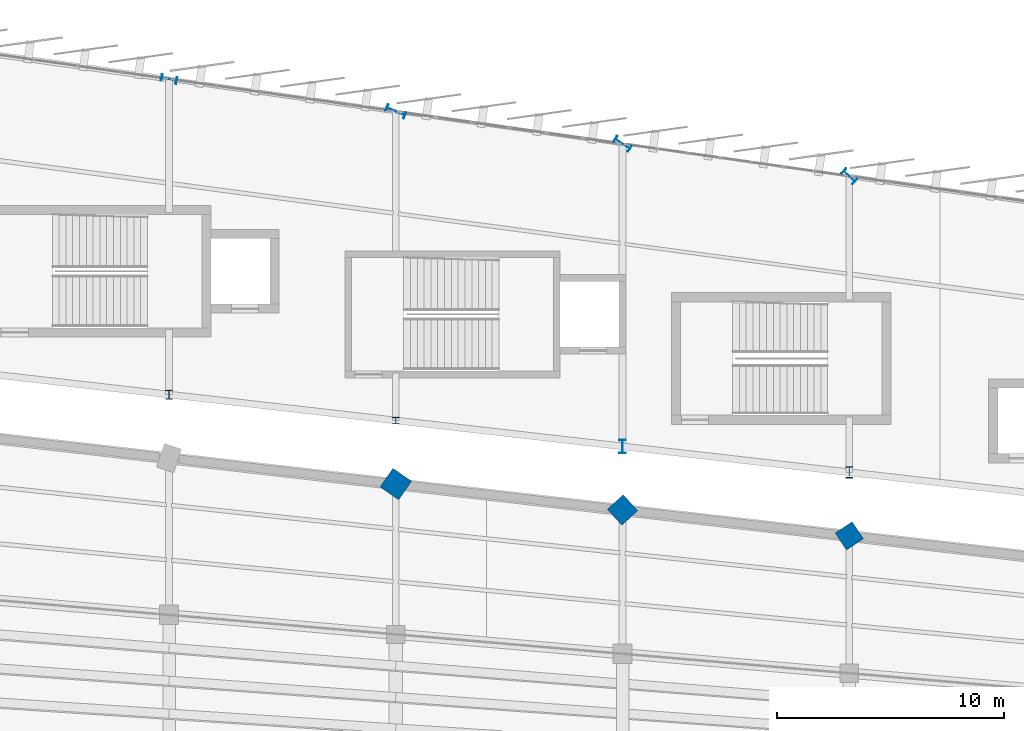
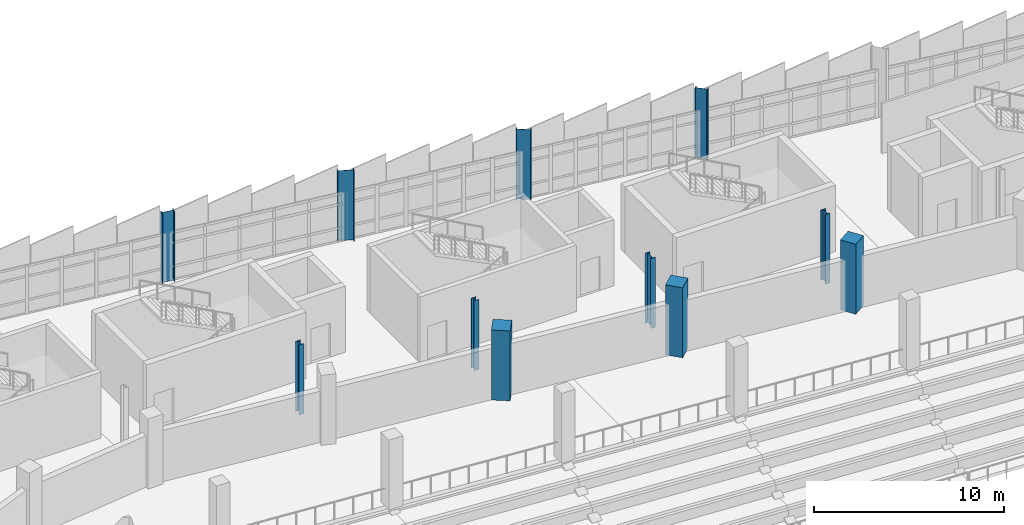
# One storey, part 16 of 134: 11 columns.
"""IFC4 building model written with IfcOpenShell, lengths in metres."""

from ifc_helpers import new_model, si_unit, direction, frame, origin, origin_2d, place, context, subcontext, project, spatial, rectangle, i_section, extrude, material, material_profile, profile_set, type_object, element, save


model = new_model("IFC4")

# Units and contexts
model_context = context("Model", 3, precision=1e-05, world=origin(), true_north=direction((0.0, 1.0)))
body_context = subcontext(model_context, "Body", "Model", "MODEL_VIEW")
ifc_project = project(units=[si_unit("LENGTHUNIT", "METRE"), si_unit("AREAUNIT", "SQUARE_METRE"), si_unit("VOLUMEUNIT", "CUBIC_METRE"), si_unit("PLANEANGLEUNIT", "RADIAN"), si_unit("MASSUNIT", "GRAM", prefix="KILO")], contexts=[model_context])

# Site, building, storey
site_placement = place(None, origin())
site = spatial("IfcSite", under=ifc_project, at=site_placement, CompositionType="ELEMENT")
building_placement = place(site_placement, origin())
building = spatial("IfcBuilding", under=site, at=building_placement, Name="Sohan Crest Arena", CompositionType="ELEMENT")
storey_placement = place(building_placement, frame((0.0, 0.0, 4.5)))
storey = spatial("IfcBuildingStorey", under=building, at=storey_placement, Name="L01", CompositionType="ELEMENT", Elevation=4.5)

# Columns
ifc_material_1 = material(Name="Concrete C40/50", Category="concrete")
ifc_material_profile_1 = material_profile(ifc_material_1, rectangle(XDim=0.89990234375, YDim=0.89990234375, at=origin_2d()), Name="RC 900x900")
ifc_profile_set_1 = profile_set([ifc_material_profile_1], Name="Concrete C40/50")
column_type_1 = type_object("IfcColumnType", Name="STR-COL-C07", PredefinedType="COLUMN", material=ifc_profile_set_1)
column_1_placement = place(storey_placement, frame((138.0, 104.428955078125, 0.0), z_axis=(0.0, 0.0, 1.0), x_axis=(0.833885822067, 0.551936985312, 0.0)))
element("IfcColumn", 1, at=column_1_placement, inside=storey, type_object=column_type_1, Name="Structural column COL-V1R-31-L01", PredefinedType="COLUMN", context=body_context, shape_type="SweptSolid", body=[
    extrude(rectangle(XDim=0.89990234375, YDim=0.89990234375, at=origin_2d()), origin(), (0.0, 0.0, 1.0), 4.5),
])
ifc_material_profile_2 = material_profile(ifc_material_1, rectangle(XDim=0.949951171875, YDim=0.949951171875, at=origin_2d()), Name="RC 950x950")
ifc_profile_set_2 = profile_set([ifc_material_profile_2], Name="Concrete C40/50")
column_type_2 = type_object("IfcColumnType", Name="STR-COL-C08", PredefinedType="COLUMN", material=ifc_profile_set_2)
column_2_placement = place(storey_placement, frame((128.0, 105.571044921875, 0.0), z_axis=(0.0, 0.0, 1.0), x_axis=(0.73609708712, 0.676875969683, 0.0)))
element("IfcColumn", 2, at=column_2_placement, inside=storey, type_object=column_type_2, Name="Structural column COL-V1R-32-L01", PredefinedType="COLUMN", context=body_context, shape_type="SweptSolid", body=[
    extrude(rectangle(XDim=0.949951171875, YDim=0.949951171875, at=origin_2d()), origin(), (0.0, 0.0, 1.0), 4.5),
])
ifc_material_profile_3 = material_profile(ifc_material_1, rectangle(XDim=1.0, YDim=1.0, at=origin_2d()), Name="RC 1000x1000")
ifc_profile_set_3 = profile_set([ifc_material_profile_3], Name="Concrete C40/50")
column_type_3 = type_object("IfcColumnType", Name="STR-COL-C09", PredefinedType="COLUMN", material=ifc_profile_set_3)
column_3_placement = place(storey_placement, frame((118.0, 106.714111328125, 0.0), z_axis=(0.0, 0.0, 1.0), x_axis=(0.572145873446, 0.820151875874, 0.0)))
element("IfcColumn", 3, at=column_3_placement, inside=storey, type_object=column_type_3, Name="Structural column COL-V1R-33-L01", PredefinedType="COLUMN", context=body_context, shape_type="SweptSolid", body=[
    extrude(rectangle(XDim=1.0, YDim=1.0, at=origin_2d()), origin(), (0.0, 0.0, 1.0), 4.5),
])
ifc_material_2 = material(Name="Steel S355", Category="steel")
ifc_material_profile_4 = material_profile(ifc_material_2, i_section(OverallWidth=0.300048828125, OverallDepth=0.300048828125, WebThickness=0.010986328125, FlangeThickness=0.01904296875, at=origin_2d()), Name="HEB 300")
ifc_profile_set_4 = profile_set([ifc_material_profile_4], Name="Steel S355")
column_type_4 = type_object("IfcColumnType", Name="STR-COL-C17", PredefinedType="COLUMN", material=ifc_profile_set_4)
column_4_placement = place(storey_placement, frame((118.0, 109.513916015625, 0.0), z_axis=(0.0, 0.0, 1.0), x_axis=(1.0, 0.0, 0.0)))
element("IfcColumn", 4, at=column_4_placement, inside=storey, type_object=column_type_4, Name="Structural column COL-V2I-33-L01", PredefinedType="COLUMN", context=body_context, shape_type="SweptSolid", body=[
    extrude(i_section(OverallWidth=0.300048828125, OverallDepth=0.300048828125, WebThickness=0.010986328125, FlangeThickness=0.01904296875, at=origin_2d()), origin(), (0.0, 0.0, 1.0), 4.5),
])
ifc_material_profile_5 = material_profile(ifc_material_2, i_section(OverallWidth=0.300048828125, OverallDepth=0.39990234375, WebThickness=0.013427734375, FlangeThickness=0.02392578125, at=origin_2d()), Name="HEB 400")
ifc_profile_set_5 = profile_set([ifc_material_profile_5], Name="Steel S355")
column_type_5 = type_object("IfcColumnType", Name="STR-COL-C18", PredefinedType="COLUMN", material=ifc_profile_set_5)
column_5_placement = place(storey_placement, frame((108.0, 110.656982421875, 0.0), z_axis=(0.0, 0.0, 1.0), x_axis=(1.0, 0.0, 0.0)))
element("IfcColumn", 5, at=column_5_placement, inside=storey, type_object=column_type_5, Name="Structural column COL-V2I-34-L01", PredefinedType="COLUMN", context=body_context, shape_type="SweptSolid", body=[
    extrude(i_section(OverallWidth=0.300048828125, OverallDepth=0.39990234375, WebThickness=0.013427734375, FlangeThickness=0.02392578125, at=origin_2d()), origin(), (0.0, 0.0, 1.0), 4.5),
])
ifc_material_profile_6 = material_profile(ifc_material_2, i_section(OverallWidth=0.300048828125, OverallDepth=0.5, WebThickness=0.014404296875, FlangeThickness=0.028076171875, at=origin_2d()), Name="HEB 500")
ifc_profile_set_6 = profile_set([ifc_material_profile_6], Name="Steel S355")
column_type_6 = type_object("IfcColumnType", Name="STR-COL-C19", PredefinedType="COLUMN", material=ifc_profile_set_6)
column_6_placement = place(storey_placement, frame((138.0, 107.22900390625, 0.0), z_axis=(0.0, 0.0, 1.0), x_axis=(1.0, 0.0, 0.0)))
element("IfcColumn", 6, at=column_6_placement, inside=storey, type_object=column_type_6, Name="Structural column COL-V2I-31-L01", PredefinedType="COLUMN", context=body_context, shape_type="SweptSolid", body=[
    extrude(i_section(OverallWidth=0.300048828125, OverallDepth=0.5, WebThickness=0.014404296875, FlangeThickness=0.028076171875, at=origin_2d()), origin(), (0.0, 0.0, 1.0), 4.5),
])
ifc_material_profile_7 = material_profile(ifc_material_2, i_section(OverallWidth=0.300048828125, OverallDepth=0.60009765625, WebThickness=0.015380859375, FlangeThickness=0.030029296875, at=origin_2d()), Name="HEB 600")
ifc_profile_set_7 = profile_set([ifc_material_profile_7], Name="Steel S355")
column_type_7 = type_object("IfcColumnType", Name="STR-COL-C20", PredefinedType="COLUMN", material=ifc_profile_set_7)
column_7_placement = place(storey_placement, frame((128.0, 108.37109375, 0.0), z_axis=(0.0, 0.0, 1.0), x_axis=(1.0, 0.0, 0.0)))
element("IfcColumn", 7, at=column_7_placement, inside=storey, type_object=column_type_7, Name="Structural column COL-V2I-32-L01", PredefinedType="COLUMN", context=body_context, shape_type="SweptSolid", body=[
    extrude(i_section(OverallWidth=0.300048828125, OverallDepth=0.60009765625, WebThickness=0.015380859375, FlangeThickness=0.030029296875, at=origin_2d()), origin(), (0.0, 0.0, 1.0), 4.5),
])
ifc_material_profile_8 = material_profile(ifc_material_2, i_section(OverallWidth=0.300048828125, OverallDepth=0.699951171875, WebThickness=0.01708984375, FlangeThickness=0.031982421875, at=origin_2d()), Name="HEB 700")
ifc_profile_set_8 = profile_set([ifc_material_profile_8], Name="Steel S355")
column_type_8 = type_object("IfcColumnType", Name="STR-COL-C21", PredefinedType="COLUMN", material=ifc_profile_set_8)
for number, where, z_axis, x_axis, name in (
    (8, (138.0, 120.285888671875, 0.0), (0.0, 0.0, 1.0), (0.687087510804, 0.726574670971, 0.0), "Structural column COL-V2O-31-L01"),
    (9, (108.0, 124.571044921875, 0.0), (0.0, 0.0, 1.0), (0.209618562904, 0.977783236759, 0.0), "Structural column COL-V2O-34-L01"),
):
    element("IfcColumn", number, at=place(storey_placement, frame(where, z_axis=z_axis, x_axis=x_axis)), inside=storey, type_object=column_type_8, Name=name, PredefinedType="COLUMN", context=body_context, shape_type="SweptSolid", body=[
        extrude(i_section(OverallWidth=0.300048828125, OverallDepth=0.699951171875, WebThickness=0.01708984375, FlangeThickness=0.031982421875, at=origin_2d()), origin(), (0.0, 0.0, 1.0), 4.5),
    ])
ifc_material_profile_9 = material_profile(ifc_material_2, i_section(OverallWidth=0.300048828125, OverallDepth=0.800048828125, WebThickness=0.017578125, FlangeThickness=0.032958984375, at=origin_2d()), Name="HEB 800")
ifc_profile_set_9 = profile_set([ifc_material_profile_9], Name="Steel S355")
column_type_9 = type_object("IfcColumnType", Name="STR-COL-C22", PredefinedType="COLUMN", material=ifc_profile_set_9)
column_8_placement = place(storey_placement, frame((128.0, 121.714111328125, 0.0), z_axis=(0.0, 0.0, 1.0), x_axis=(0.566406236925, 0.824126188622, 0.0)))
element("IfcColumn", 10, at=column_8_placement, inside=storey, type_object=column_type_9, Name="Structural column COL-V2O-32-L01", PredefinedType="COLUMN", context=body_context, shape_type="SweptSolid", body=[
    extrude(i_section(OverallWidth=0.300048828125, OverallDepth=0.800048828125, WebThickness=0.017578125, FlangeThickness=0.032958984375, at=origin_2d()), origin(), (0.0, 0.0, 1.0), 4.5),
])
ifc_material_profile_10 = material_profile(ifc_material_2, i_section(OverallWidth=0.300048828125, OverallDepth=0.89990234375, WebThickness=0.0185546875, FlangeThickness=0.034912109375, at=origin_2d()), Name="HEB 900")
ifc_profile_set_10 = profile_set([ifc_material_profile_10], Name="Steel S355")
column_type_10 = type_object("IfcColumnType", Name="STR-COL-C23", PredefinedType="COLUMN", material=ifc_profile_set_10)
column_9_placement = place(storey_placement, frame((118.0, 123.14306640625, 0.0), z_axis=(0.0, 0.0, 1.0), x_axis=(0.40514158678, 0.914253955234, 0.0)))
element("IfcColumn", 11, at=column_9_placement, inside=storey, type_object=column_type_10, Name="Structural column COL-V2O-33-L01", PredefinedType="COLUMN", context=body_context, shape_type="SweptSolid", body=[
    extrude(i_section(OverallWidth=0.300048828125, OverallDepth=0.89990234375, WebThickness=0.0185546875, FlangeThickness=0.034912109375, at=origin_2d()), origin(), (0.0, 0.0, 1.0), 4.5),
])

save(model, "model.ifc")
